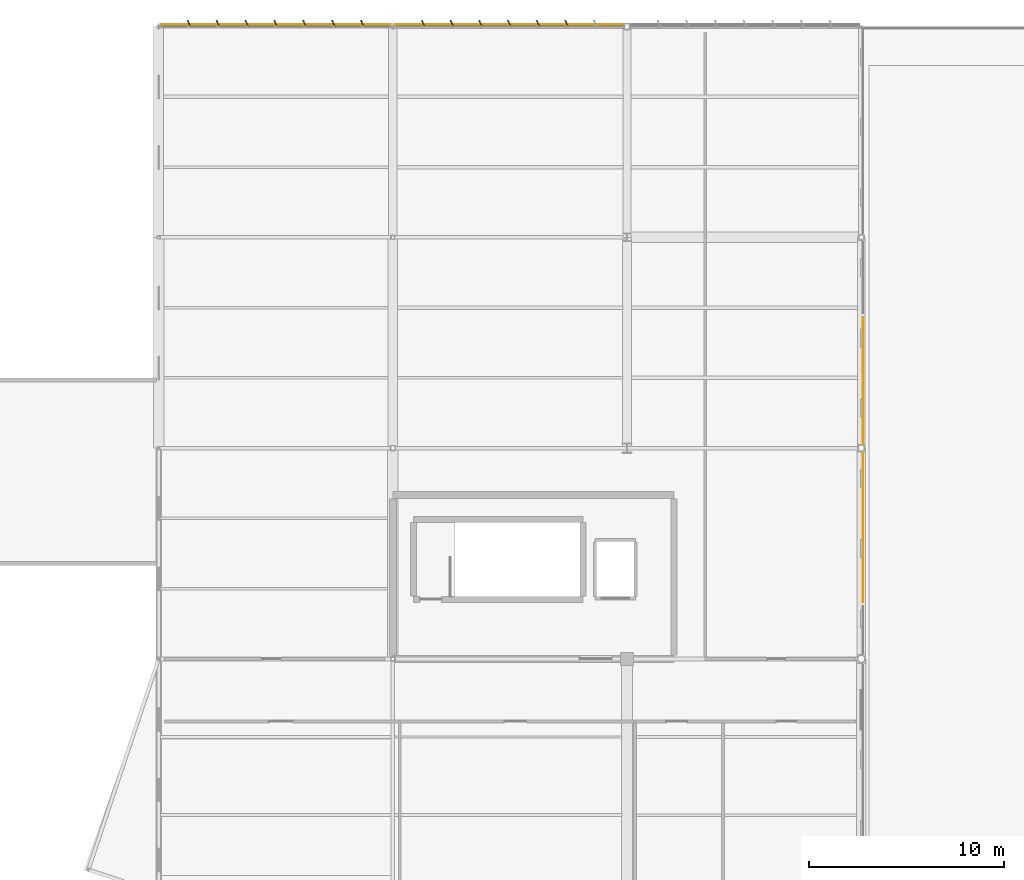
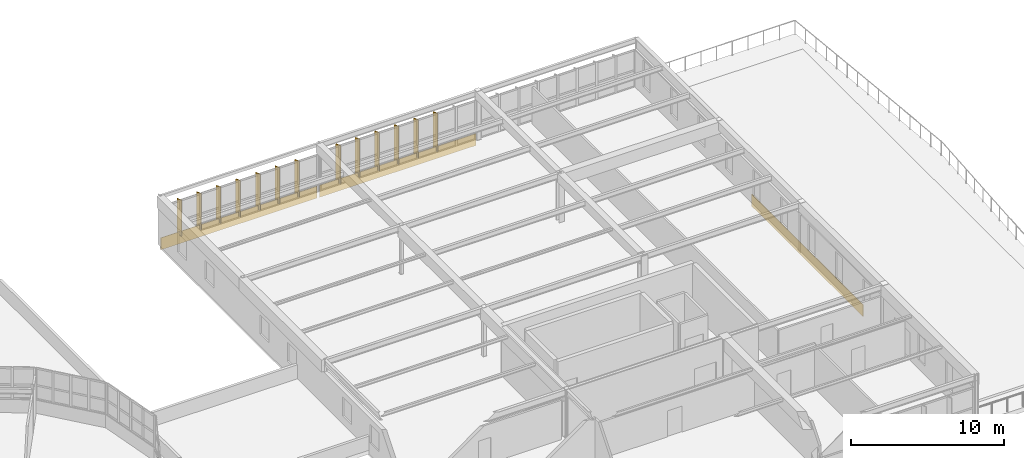
# One storey, part 127 of 128: 13 shading devices, 3 coverings.
"""IFC4 building model written with IfcOpenShell, lengths in metres."""

from ifc_helpers import new_model, si_unit, direction, frame, origin, origin_2d, place, context, subcontext, project, spatial, rectangle, extrude, material, layer, layer_set, type_object, element, save


model = new_model("IFC4")

# Units and contexts
model_context = context("Model", 3, precision=1e-05, world=origin(), true_north=direction((0.0, 1.0)))
body_context = subcontext(model_context, "Body", "Model", "MODEL_VIEW")
ifc_project = project(units=[si_unit("LENGTHUNIT", "METRE"), si_unit("AREAUNIT", "SQUARE_METRE"), si_unit("VOLUMEUNIT", "CUBIC_METRE"), si_unit("PLANEANGLEUNIT", "RADIAN"), si_unit("MASSUNIT", "GRAM", prefix="KILO")], contexts=[model_context])

# Site, building, storey
site_placement = place(None, origin())
site = spatial("IfcSite", under=ifc_project, at=site_placement, CompositionType="ELEMENT")
building_placement = place(site_placement, origin())
building = spatial("IfcBuilding", under=site, at=building_placement, Name="Tarnwether General Hospital", CompositionType="ELEMENT")
storey_placement = place(building_placement, frame((0.0, 0.0, 14.39990234375)))
storey = spatial("IfcBuildingStorey", under=building, at=storey_placement, Name="L03", CompositionType="ELEMENT", Elevation=14.39990234375)

# Coverings
ifc_material_1 = material(Name="Folded zinc-titanium cladding")
ifc_layer_1 = layer(ifc_material_1, 0.0400390625)
ifc_layer_set_1 = layer_set([ifc_layer_1], Name="Folded zinc-titanium cladding")
covering_type = type_object("IfcCoveringType", Name="CV-CLD-ZNC", PredefinedType="CLADDING", material=ifc_layer_set_1)
for number, where, z_axis, x_axis, name in (
    (1, (150.0, 126.090087890625, -0.5546875), (0.0, 0.0, 1.0), (1.0, 0.0, 0.0), "Deconstructivist Faceted Zinc Spandrel Blade 054"),
    (2, (162.0, 126.090087890625, -0.5546875), (0.0, 0.0, 1.0), (1.0, 0.0, 0.0), "Deconstructivist Faceted Zinc Spandrel Blade 055"),
):
    element("IfcCovering", number, at=place(storey_placement, frame(where, z_axis=z_axis, x_axis=x_axis)), inside=storey, type_object=covering_type, Name=name, PredefinedType="CLADDING", context=body_context, shape_type="SweptSolid", body=[
        extrude(rectangle(XDim=11.800048828125, YDim=0.0400390625, at=origin_2d()), origin(), (0.0, 0.0, 1.0), 0.949951171875),
    ])
covering_placement = place(storey_placement, frame((180.090087890625, 103.800048828125, -0.5546875), z_axis=(0.0, 0.0, 1.0), x_axis=(0.0, 1.0, 0.0)))
element("IfcCovering", 3, at=covering_placement, inside=storey, type_object=covering_type, Name="Deconstructivist East Faceted Zinc Spandrel 061", PredefinedType="CLADDING", context=body_context, shape_type="SweptSolid", body=[
    extrude(rectangle(XDim=14.60009765625, YDim=0.0400390625, at=origin_2d()), origin(), (0.0, 0.0, 1.0), 0.949951171875),
])

# Shading devices
ifc_material_2 = material(Name="Champagne-bronze anodised aluminium", Category="aluminium")
ifc_layer_2 = layer(ifc_material_2, 0.06005859375)
ifc_layer_set_2 = layer_set([ifc_layer_2], Name="Champagne-bronze anodised aluminium")
shading_device_type = type_object("IfcShadingDeviceType", Name="SH-FIN-BRZ", PredefinedType="USERDEFINED", material=ifc_layer_set_2)
for number, where, z_axis, x_axis, name in (
    (4, (145.551025390625, 126.159912109375, 0.05029296875), (0.0, 0.0, 1.0), (0.906307787037, 0.422618261741, 0.0), "Champagne-Bronze Brise-Soleil Fin 0579"),
    (5, (147.031982421875, 126.159912109375, 0.05029296875), (0.0, 0.0, 1.0), (0.906307787037, 0.422618261741, 0.0), "Champagne-Bronze Brise-Soleil Fin 0580"),
    (6, (148.512939453125, 126.159912109375, 0.05029296875), (0.0, 0.0, 1.0), (0.906307787037, 0.422618261741, 0.0), "Champagne-Bronze Brise-Soleil Fin 0581"),
    (7, (149.992919921875, 126.159912109375, 0.05029296875), (0.0, 0.0, 1.0), (0.906307787037, 0.422618261741, 0.0), "Champagne-Bronze Brise-Soleil Fin 0582"),
    (8, (151.47412109375, 126.159912109375, 0.05029296875), (0.0, 0.0, 1.0), (0.906307787037, 0.422618261741, 0.0), "Champagne-Bronze Brise-Soleil Fin 0583"),
    (9, (152.955078125, 126.159912109375, 0.05029296875), (0.0, 0.0, 1.0), (0.906307787037, 0.422618261741, 0.0), "Champagne-Bronze Brise-Soleil Fin 0584"),
    (10, (154.43505859375, 126.159912109375, 0.05029296875), (0.0, 0.0, 1.0), (0.906307787037, 0.422618261741, 0.0), "Champagne-Bronze Brise-Soleil Fin 0585"),
):
    element("IfcShadingDevice", number, at=place(storey_placement, frame(where, z_axis=z_axis, x_axis=x_axis)), inside=storey, type_object=shading_device_type, Name=name, ObjectType="SOLAR FIN", PredefinedType="USERDEFINED", context=body_context, shape_type="SweptSolid", body=[
        extrude(rectangle(XDim=0.06005859375, YDim=0.360107421875, at=origin_2d()), origin(), (0.0, 0.0, 1.0), 2.885009765625),
    ])
for number, where, z_axis, x_axis, name in (
    (11, (157.553955078125, 126.159912109375, 0.05029296875), (0.0, 0.0, 1.0), (0.906307787037, 0.422618261741, 0.0), "Champagne-Bronze Brise-Soleil Fin 0586"),
    (12, (159.02392578125, 126.159912109375, 0.05029296875), (0.0, 0.0, 1.0), (0.906307787037, 0.422618261741, 0.0), "Champagne-Bronze Brise-Soleil Fin 0587"),
    (13, (160.492919921875, 126.159912109375, 0.05029296875), (0.0, 0.0, 1.0), (0.906307787037, 0.422618261741, 0.0), "Champagne-Bronze Brise-Soleil Fin 0588"),
    (14, (161.962890625, 126.159912109375, 0.05029296875), (0.0, 0.0, 1.0), (0.906307787037, 0.422618261741, 0.0), "Champagne-Bronze Brise-Soleil Fin 0589"),
    (15, (163.43310546875, 126.159912109375, 0.05029296875), (0.0, 0.0, 1.0), (0.906307787037, 0.422618261741, 0.0), "Champagne-Bronze Brise-Soleil Fin 0590"),
    (16, (164.902099609375, 126.159912109375, 0.05029296875), (0.0, 0.0, 1.0), (0.906307787037, 0.422618261741, 0.0), "Champagne-Bronze Brise-Soleil Fin 0591"),
):
    element("IfcShadingDevice", number, at=place(storey_placement, frame(where, z_axis=z_axis, x_axis=x_axis)), inside=storey, type_object=shading_device_type, Name=name, ObjectType="SOLAR FIN", PredefinedType="USERDEFINED", context=body_context, shape_type="SweptSolid", body=[
        extrude(rectangle(XDim=0.06005859375, YDim=0.360107421875, at=origin_2d()), origin(), (0.0, 0.0, 1.0), 3.034912109375),
    ])

save(model, "model.ifc")
